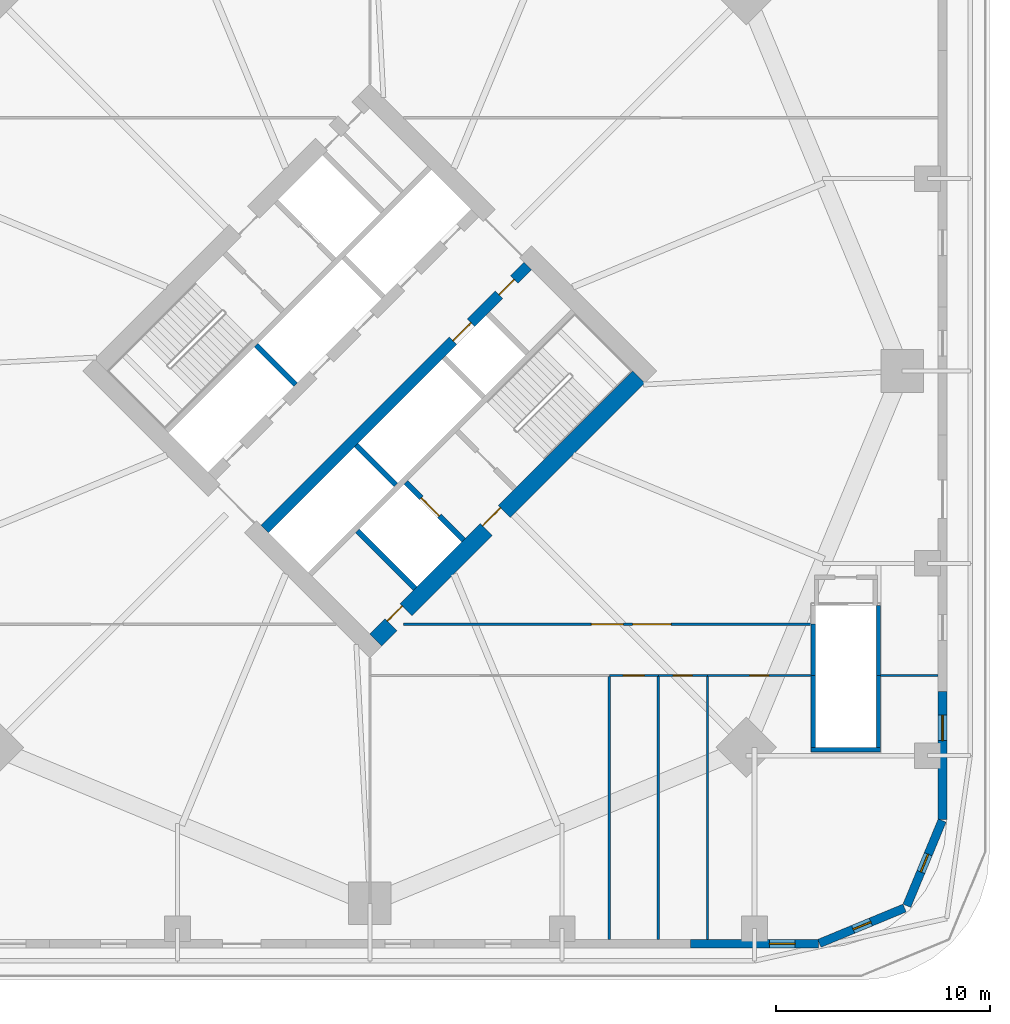
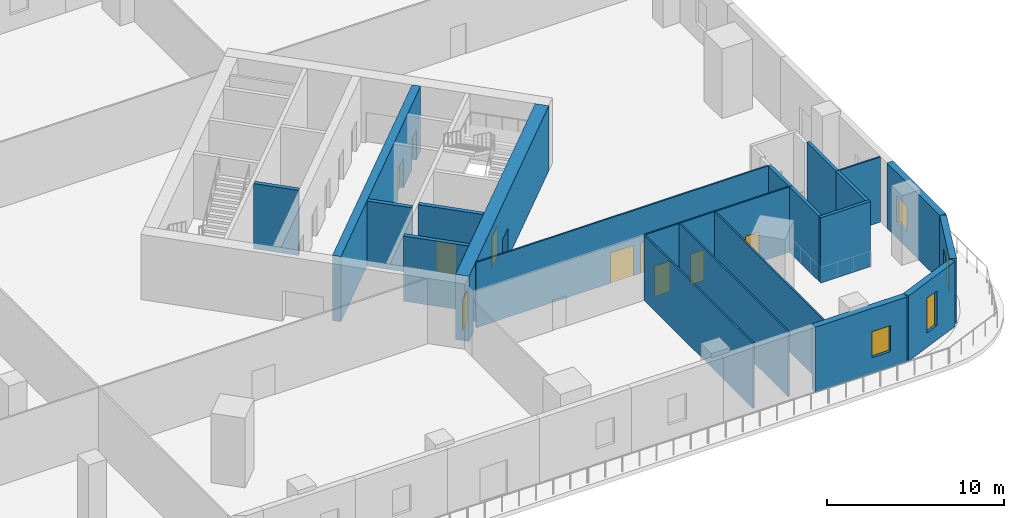
# One storey, part 8 of 16: 23 walls, 10 doors, 4 windows, 14 openings.
"""IFC4 building model written with IfcOpenShell, lengths in metres."""

from ifc_helpers import new_model, si_unit, direction, frame, frame_2d, origin, place, context, subcontext, project, spatial, rectangle, extrude, material, layer, layer_set, type_object, element, fill, save


model = new_model("IFC4")

# Units and contexts
model_context = context("Model", 3, precision=1e-05, world=origin(), true_north=direction((0.0, 1.0)))
body_context = subcontext(model_context, "Body", "Model", "MODEL_VIEW")
ifc_project = project(units=[si_unit("LENGTHUNIT", "METRE"), si_unit("AREAUNIT", "SQUARE_METRE"), si_unit("VOLUMEUNIT", "CUBIC_METRE"), si_unit("PLANEANGLEUNIT", "RADIAN"), si_unit("MASSUNIT", "GRAM", prefix="KILO")], contexts=[model_context])

# Site, building, storey
site_placement = place(None, origin())
site = spatial("IfcSite", under=ifc_project, at=site_placement, CompositionType="ELEMENT")
building_placement = place(site_placement, origin())
building = spatial("IfcBuilding", under=site, at=building_placement, Name="Ogive Gate Towers", CompositionType="ELEMENT")
storey_placement = place(building_placement, frame((0.0, 0.0, 22.800048828125)))
storey = spatial("IfcBuildingStorey", under=building, at=storey_placement, Name="L04", CompositionType="ELEMENT", Elevation=22.800048828125)

# Wall, openings, doors
ifc_material_1 = material(Name="Concrete C60/75", Category="concrete")
ifc_layer_1 = layer(ifc_material_1, 0.800048828125)
ifc_layer_set_1 = layer_set([ifc_layer_1], Name="Core wall 800 mm")
wall_type_1 = type_object("IfcWallType", Name="Core wall 800 mm", PredefinedType="SHEAR", material=ifc_layer_set_1)
wall_1_placement = place(storey_placement, frame((36.28271484375, -12.58642578125, 0.0), z_axis=(0.0, 0.0, 1.0), x_axis=(0.707106781187, 0.707106781187, 0.0)))
wall_1 = element("IfcWall", 1, at=wall_1_placement, inside=storey, type_object=wall_type_1, Name="T2 L04 Core wall 800 mm", PredefinedType="SHEAR", context=body_context, shape_type="SweptSolid", body=[
    extrude(rectangle(XDim=17.400146484375, YDim=0.800048828125, at=frame_2d((8.7001953125, 0.0))), origin(), (0.0, 0.0, 1.0), 4.5),
])
opening_1_placement = place(wall_1_placement, frame((7.300048828125, 0.0, 0.0)))
opening_1 = element("IfcOpeningElement", 2, at=opening_1_placement, cuts=wall_1, Name="Opening KD-T2-L04-16", PredefinedType="OPENING", context=body_context, shape_type="SweptSolid", body=[
    extrude(rectangle(XDim=1.199951171875, YDim=2.10009765625, at=frame_2d((0.60009765625, 1.050048828125))), frame((0.0, 0.41015625, 0.0), z_axis=(0.0, -1.0, 0.0), x_axis=(1.0, 0.0, 0.0)), (0.0, 0.0, 1.0), 0.820068359375),
])
opening_2_placement = place(wall_1_placement, frame((1.0, 0.0, 0.0)))
opening_2 = element("IfcOpeningElement", 3, at=opening_2_placement, cuts=wall_1, Name="Opening KD-T2-L04-19", PredefinedType="OPENING", context=body_context, shape_type="SweptSolid", body=[
    extrude(rectangle(XDim=1.0, YDim=2.10009765625, at=frame_2d((0.5, 1.050048828125))), frame((0.0, 0.41015625, 0.0), z_axis=(0.0, -1.0, 0.0), x_axis=(1.0, 0.0, 0.0)), (0.0, 0.0, 1.0), 0.820068359375),
])
ifc_material_2 = material(Name="Timber door", Category="wood")
door_type_1 = type_object("IfcDoorType", Name="Accessible WC door 1000 x 2100", OperationType="NOTDEFINED", PredefinedType="DOOR", material=ifc_material_2)
door_1_placement = place(opening_2_placement, origin())
door_1 = element("IfcDoor", 4, at=door_1_placement, inside=storey, type_object=door_type_1, Name="T2 L04 Core door", OperationType="SINGLE_SWING_RIGHT", OverallHeight=2.10009765625, OverallWidth=1.0, PredefinedType="DOOR", context=body_context, shape_type="SweptSolid", body=[
    extrude(rectangle(XDim=1.0, YDim=2.10009765625, at=frame_2d((0.5, 1.050048828125))), frame((0.0, 0.27490234375, 0.0), z_axis=(0.0, -1.0, 0.0), x_axis=(1.0, 0.0, 0.0)), (0.0, 0.0, 1.0), 0.050048828125),
])
fill(opening_2, door_1)
ifc_material_3 = material(Name="Steel fire door", Category="steel")
door_type_2 = type_object("IfcDoorType", Name="Core door FD60S 1200 x 2100", OperationType="NOTDEFINED", PredefinedType="DOOR", material=ifc_material_3)
door_2_placement = place(opening_1_placement, origin())
door_2 = element("IfcDoor", 5, at=door_2_placement, inside=storey, type_object=door_type_2, Name="T2 L04 Fire-fighting lobby door", OperationType="SINGLE_SWING_LEFT", OverallHeight=2.10009765625, OverallWidth=1.199951171875, PredefinedType="DOOR", context=body_context, shape_type="SweptSolid", body=[
    extrude(rectangle(XDim=1.199951171875, YDim=2.10009765625, at=frame_2d((0.60009765625, 1.050048828125))), frame((0.0, 0.27490234375, 0.0), z_axis=(0.0, -1.0, 0.0), x_axis=(1.0, 0.0, 0.0)), (0.0, 0.0, 1.0), 0.050048828125),
])
fill(opening_1, door_2)

# Wall, opening, door
ifc_material_4 = material(Name="Gypsum board partition")
ifc_layer_2 = layer(ifc_material_4, 0.10009765625)
ifc_layer_set_2 = layer_set([ifc_layer_2], Name="Partition wall 100")
wall_type_2 = type_object("IfcWallType", Name="Partition wall 100", PredefinedType="PARTITIONING", material=ifc_layer_set_2)
wall_2_placement = place(storey_placement, frame((47.205078125, -14.25, 0.0), z_axis=(0.0, 0.0, 1.0), x_axis=(1.0, 0.0, 0.0)))
wall_2 = element("IfcWall", 6, at=wall_2_placement, inside=storey, type_object=wall_type_2, Name="L04 partition 042", PredefinedType="PARTITIONING", context=body_context, shape_type="SweptSolid", body=[
    extrude(rectangle(XDim=2.294921875, YDim=0.10009765625, at=frame_2d((1.1474609375, 0.0))), origin(), (0.0, 0.0, 1.0), 4.5),
])
opening_3_placement = place(wall_2_placement, frame((0.6474609375, 0.0, 0.0)))
opening_3 = element("IfcOpeningElement", 7, at=opening_3_placement, cuts=wall_2, Name="Opening PO208", PredefinedType="OPENING", context=body_context, shape_type="SweptSolid", body=[
    extrude(rectangle(XDim=1.0, YDim=2.10009765625, at=frame_2d((0.5, 1.050048828125))), frame((0.0, 0.06005859375, 0.0), z_axis=(0.0, -1.0, 0.0), x_axis=(1.0, 0.0, 0.0)), (0.0, 0.0, 1.0), 0.1201171875),
])
door_type_3 = type_object("IfcDoorType", Name="Door 1000 x 2100", OperationType="NOTDEFINED", PredefinedType="DOOR", material=ifc_material_2)
door_3_placement = place(opening_3_placement, origin())
door_3 = element("IfcDoor", 8, at=door_3_placement, inside=storey, type_object=door_type_3, Name="Door PO208", OperationType="SINGLE_SWING_RIGHT", OverallHeight=2.10009765625, OverallWidth=1.0, PredefinedType="DOOR", context=body_context, shape_type="SweptSolid", body=[
    extrude(rectangle(XDim=1.0, YDim=2.10009765625, at=frame_2d((0.5, 1.050048828125))), frame((0.0, 0.02490234375, 0.0), z_axis=(0.0, -1.0, 0.0), x_axis=(1.0, 0.0, 0.0)), (0.0, 0.0, 1.0), 0.050048828125),
])
fill(opening_3, door_3)

wall_3_placement = place(storey_placement, frame((49.5, -14.25, 0.0), z_axis=(0.0, 0.0, 1.0), x_axis=(1.0, 0.0, 0.0)))
wall_3 = element("IfcWall", 9, at=wall_3_placement, inside=storey, type_object=wall_type_2, Name="L04 partition 043", PredefinedType="PARTITIONING", context=body_context, shape_type="SweptSolid", body=[
    extrude(rectangle(XDim=2.294921875, YDim=0.10009765625, at=frame_2d((1.1474609375, 0.0))), origin(), (0.0, 0.0, 1.0), 4.5),
])
opening_4_placement = place(wall_3_placement, frame((0.697509765625, 0.0, 0.0)))
opening_4 = element("IfcOpeningElement", 10, at=opening_4_placement, cuts=wall_3, Name="Opening PO209", PredefinedType="OPENING", context=body_context, shape_type="SweptSolid", body=[
    extrude(rectangle(XDim=0.89990234375, YDim=2.10009765625, at=frame_2d((0.449951171875, 1.050048828125))), frame((0.0, 0.06005859375, 0.0), z_axis=(0.0, -1.0, 0.0), x_axis=(1.0, 0.0, 0.0)), (0.0, 0.0, 1.0), 0.1201171875),
])
door_type_4 = type_object("IfcDoorType", Name="Door 900 x 2100", OperationType="NOTDEFINED", PredefinedType="DOOR", material=ifc_material_2)
door_4_placement = place(opening_4_placement, origin())
door_4 = element("IfcDoor", 11, at=door_4_placement, inside=storey, type_object=door_type_4, Name="Door PO209", OperationType="SINGLE_SWING_LEFT", OverallHeight=2.10009765625, OverallWidth=0.89990234375, PredefinedType="DOOR", context=body_context, shape_type="SweptSolid", body=[
    extrude(rectangle(XDim=0.89990234375, YDim=2.10009765625, at=frame_2d((0.449951171875, 1.050048828125))), frame((0.0, 0.02490234375, 0.0), z_axis=(0.0, -1.0, 0.0), x_axis=(1.0, 0.0, 0.0)), (0.0, 0.0, 1.0), 0.050048828125),
])
fill(opening_4, door_4)

wall_4_placement = place(storey_placement, frame((51.794921875, -14.25, 0.0), z_axis=(0.0, 0.0, 1.0), x_axis=(1.0, 0.0, 0.0)))
wall_4 = element("IfcWall", 12, at=wall_4_placement, inside=storey, type_object=wall_type_2, Name="L04 partition 044", PredefinedType="PARTITIONING", context=body_context, shape_type="SweptSolid", body=[
    extrude(rectangle(XDim=4.85498046875, YDim=0.10009765625, at=frame_2d((2.427490234375, 0.0))), origin(), (0.0, 0.0, 1.0), 4.5),
])
opening_5_placement = place(wall_4_placement, frame((1.9775390625, 0.0, 0.0)))
opening_5 = element("IfcOpeningElement", 13, at=opening_5_placement, cuts=wall_4, Name="Opening PO210", PredefinedType="OPENING", context=body_context, shape_type="SweptSolid", body=[
    extrude(rectangle(XDim=0.89990234375, YDim=2.10009765625, at=frame_2d((0.449951171875, 1.050048828125))), frame((0.0, 0.06005859375, 0.0), z_axis=(0.0, -1.0, 0.0), x_axis=(1.0, 0.0, 0.0)), (0.0, 0.0, 1.0), 0.1201171875),
])
door_5_placement = place(opening_5_placement, origin())
door_5 = element("IfcDoor", 14, at=door_5_placement, inside=storey, type_object=door_type_4, Name="Door PO210", OperationType="SINGLE_SWING_RIGHT", OverallHeight=2.10009765625, OverallWidth=0.89990234375, PredefinedType="DOOR", context=body_context, shape_type="SweptSolid", body=[
    extrude(rectangle(XDim=0.89990234375, YDim=2.10009765625, at=frame_2d((0.449951171875, 1.050048828125))), frame((0.0, 0.02490234375, 0.0), z_axis=(0.0, -1.0, 0.0), x_axis=(1.0, 0.0, 0.0)), (0.0, 0.0, 1.0), 0.050048828125),
])
fill(opening_5, door_5)

# Wall, openings, doors
wall_5_placement = place(storey_placement, frame((37.5849609375, -11.85009765625, 0.0), z_axis=(0.0, 0.0, 1.0), x_axis=(1.0, 0.0, 0.0)))
wall_5 = element("IfcWall", 15, at=wall_5_placement, inside=storey, type_object=wall_type_2, Name="L04 partition 045", PredefinedType="PARTITIONING", context=body_context, shape_type="SweptSolid", body=[
    extrude(rectangle(XDim=19.06494140625, YDim=0.10009765625, at=frame_2d((9.532470703125, 0.0))), origin(), (0.0, 0.0, 1.0), 4.5),
])
opening_6_placement = place(wall_5_placement, frame((8.782470703125, 0.0, 0.0)))
opening_6 = element("IfcOpeningElement", 16, at=opening_6_placement, cuts=wall_5, Name="Opening PO206", PredefinedType="OPENING", context=body_context, shape_type="SweptSolid", body=[
    extrude(rectangle(XDim=1.5, YDim=2.10009765625, at=frame_2d((0.75, 1.050048828125))), frame((0.0, 0.06005859375, 0.0), z_axis=(0.0, -1.0, 0.0), x_axis=(1.0, 0.0, 0.0)), (0.0, 0.0, 1.0), 0.1201171875),
])
opening_7_placement = place(wall_5_placement, frame((10.715576171875, 0.0, 0.0)))
opening_7 = element("IfcOpeningElement", 17, at=opening_7_placement, cuts=wall_5, Name="Opening PO214", PredefinedType="OPENING", context=body_context, shape_type="SweptSolid", body=[
    extrude(rectangle(XDim=1.800048828125, YDim=2.10009765625, at=frame_2d((0.89990234375, 1.050048828125))), frame((0.0, 0.06005859375, 0.0), z_axis=(0.0, -1.0, 0.0), x_axis=(1.0, 0.0, 0.0)), (0.0, 0.0, 1.0), 0.1201171875),
])
door_type_5 = type_object("IfcDoorType", Name="Double door 1500 x 2100", OperationType="NOTDEFINED", PredefinedType="DOOR", material=ifc_material_2)
door_6_placement = place(opening_6_placement, origin())
door_6 = element("IfcDoor", 18, at=door_6_placement, inside=storey, type_object=door_type_5, Name="Door PO206", OperationType="DOUBLE_DOOR_DOUBLE_SWING", OverallHeight=2.10009765625, OverallWidth=1.5, PredefinedType="DOOR", context=body_context, shape_type="SweptSolid", body=[
    extrude(rectangle(XDim=1.5, YDim=2.10009765625, at=frame_2d((0.75, 1.050048828125))), frame((0.0, 0.02490234375, 0.0), z_axis=(0.0, -1.0, 0.0), x_axis=(1.0, 0.0, 0.0)), (0.0, 0.0, 1.0), 0.050048828125),
])
fill(opening_6, door_6)
door_type_6 = type_object("IfcDoorType", Name="Double door 1800 x 2100", OperationType="NOTDEFINED", PredefinedType="DOOR", material=ifc_material_2)
door_7_placement = place(opening_7_placement, origin())
door_7 = element("IfcDoor", 19, at=door_7_placement, inside=storey, type_object=door_type_6, Name="Door PO214", OperationType="DOUBLE_DOOR_DOUBLE_SWING", OverallHeight=2.10009765625, OverallWidth=1.800048828125, PredefinedType="DOOR", context=body_context, shape_type="SweptSolid", body=[
    extrude(rectangle(XDim=1.800048828125, YDim=2.10009765625, at=frame_2d((0.89990234375, 1.050048828125))), frame((0.0, 0.02490234375, 0.0), z_axis=(0.0, -1.0, 0.0), x_axis=(1.0, 0.0, 0.0)), (0.0, 0.0, 1.0), 0.050048828125),
])
fill(opening_7, door_7)

# Walls
for number, where, z_axis, x_axis, name in (
    (20, (47.205078125, -26.60009765625, 0.0), (0.0, 0.0, 1.0), (0.0, 1.0, 0.0), "L04 partition 046"),
    (21, (49.5, -26.60009765625, 0.0), (0.0, 0.0, 1.0), (0.0, 1.0, 0.0), "L04 partition 047"),
    (22, (51.794921875, -26.60009765625, 0.0), (0.0, 0.0, 1.0), (0.0, 1.0, 0.0), "L04 partition 048"),
):
    element("IfcWall", number, at=place(storey_placement, frame(where, z_axis=z_axis, x_axis=x_axis)), inside=storey, type_object=wall_type_2, Name=name, PredefinedType="PARTITIONING", context=body_context, shape_type="SweptSolid", body=[
        extrude(rectangle(XDim=12.300048828125, YDim=0.10009765625, at=frame_2d((6.14990234375, 0.0))), origin(), (0.0, 0.0, 1.0), 4.5),
    ])
wall_6_placement = place(storey_placement, frame((59.89990234375, -14.25, 0.0), z_axis=(0.0, 0.0, 1.0), x_axis=(1.0, 0.0, 0.0)))
element("IfcWall", 23, at=wall_6_placement, inside=storey, type_object=wall_type_2, Name="L04 partition 049", PredefinedType="PARTITIONING", context=body_context, shape_type="SweptSolid", body=[
    extrude(rectangle(XDim=2.7001953125, YDim=0.10009765625, at=frame_2d((1.35009765625, 0.0))), origin(), (0.0, 0.0, 1.0), 4.5),
])

# Wall, opening, window
ifc_material_5 = material(Name="Precast concrete C40/50", Category="concrete")
ifc_layer_3 = layer(ifc_material_5, 0.39990234375)
ifc_layer_set_3 = layer_set([ifc_layer_3], Name="Podium wall 400")
wall_type_3 = type_object("IfcWallType", Name="Podium wall 400", PredefinedType="SOLIDWALL", material=ifc_layer_set_3)
wall_7_placement = place(storey_placement, frame((57.036865234375, -26.784912109375, 0.0), z_axis=(0.0, 0.0, 1.0), x_axis=(0.923854820772, 0.382743086333, 0.0)))
wall_7 = element("IfcWall", 24, at=wall_7_placement, inside=storey, type_object=wall_type_3, Name="Podium wall", PredefinedType="SOLIDWALL", context=body_context, shape_type="SweptSolid", body=[
    extrude(rectangle(XDim=4.31640625, YDim=0.39990234375, at=frame_2d((2.158203125, 0.0))), origin(), (0.0, 0.0, 1.0), 4.5),
])
opening_8_placement = place(wall_7_placement, frame((1.708251953125, 0.0, 1.0)))
opening_8 = element("IfcOpeningElement", 25, at=opening_8_placement, cuts=wall_7, Name="Opening WN5", PredefinedType="OPENING", context=body_context, shape_type="SweptSolid", body=[
    extrude(rectangle(XDim=0.89990234375, YDim=2.39990234375, at=frame_2d((0.449951171875, 1.199951171875))), frame((0.0, 0.2099609375, 0.0), z_axis=(0.0, -1.0, 0.0), x_axis=(1.0, 0.0, 0.0)), (0.0, 0.0, 1.0), 0.419921875),
])
ifc_material_6 = material(Name="Clear glass", Category="glass")
window_type_1 = type_object("IfcWindowType", Name="Narrow window 900 x 2400", PartitioningType="SINGLE_PANEL", PredefinedType="WINDOW", material=ifc_material_6)
window_1_placement = place(opening_8_placement, origin())
window_1 = element("IfcWindow", 26, at=window_1_placement, inside=storey, type_object=window_type_1, Name="Podium window", OverallHeight=2.39990234375, OverallWidth=0.89990234375, PartitioningType="SINGLE_PANEL", PredefinedType="WINDOW", context=body_context, shape_type="SweptSolid", body=[
    extrude(rectangle(XDim=0.89990234375, YDim=2.39990234375, at=frame_2d((0.449951171875, 1.199951171875))), frame((0.0, 0.030029296875, 0.0), z_axis=(0.0, -1.0, 0.0), x_axis=(1.0, 0.0, 0.0)), (0.0, 0.0, 1.0), 0.06005859375),
])
fill(opening_8, window_1)

wall_8_placement = place(storey_placement, frame((61.1328125, -25.024658203125, 0.0), z_axis=(0.0, 0.0, 1.0), x_axis=(0.382743086333, 0.923854820772, 0.0)))
wall_8 = element("IfcWall", 27, at=wall_8_placement, inside=storey, type_object=wall_type_3, Name="Podium wall", PredefinedType="SOLIDWALL", context=body_context, shape_type="SweptSolid", body=[
    extrude(rectangle(XDim=4.31640625, YDim=0.39990234375, at=frame_2d((2.158203125, 0.0))), origin(), (0.0, 0.0, 1.0), 4.5),
])
opening_9_placement = place(wall_8_placement, frame((1.708251953125, 0.0, 1.0)))
opening_9 = element("IfcOpeningElement", 28, at=opening_9_placement, cuts=wall_8, Name="Opening WN5", PredefinedType="OPENING", context=body_context, shape_type="SweptSolid", body=[
    extrude(rectangle(XDim=0.89990234375, YDim=2.39990234375, at=frame_2d((0.449951171875, 1.199951171875))), frame((0.0, 0.2099609375, 0.0), z_axis=(0.0, -1.0, 0.0), x_axis=(1.0, 0.0, 0.0)), (0.0, 0.0, 1.0), 0.419921875),
])
window_2_placement = place(opening_9_placement, origin())
window_2 = element("IfcWindow", 29, at=window_2_placement, inside=storey, type_object=window_type_1, Name="Podium window", OverallHeight=2.39990234375, OverallWidth=0.89990234375, PartitioningType="SINGLE_PANEL", PredefinedType="WINDOW", context=body_context, shape_type="SweptSolid", body=[
    extrude(rectangle(XDim=0.89990234375, YDim=2.39990234375, at=frame_2d((0.449951171875, 1.199951171875))), frame((0.0, 0.030029296875, 0.0), z_axis=(0.0, -1.0, 0.0), x_axis=(1.0, 0.0, 0.0)), (0.0, 0.0, 1.0), 0.06005859375),
])
fill(opening_9, window_2)

wall_9_placement = place(storey_placement, frame((62.800048828125, -21.0, 0.0), z_axis=(0.0, 0.0, 1.0), x_axis=(0.0, 1.0, 0.0)))
wall_9 = element("IfcWall", 30, at=wall_9_placement, inside=storey, type_object=wall_type_3, Name="Podium wall", PredefinedType="SOLIDWALL", context=body_context, shape_type="SweptSolid", body=[
    extrude(rectangle(XDim=6.0, YDim=0.39990234375, at=frame_2d((3.0, 0.0))), origin(), (0.0, 0.0, 1.0), 4.5),
])
opening_10_placement = place(wall_9_placement, frame((3.699951171875, 0.0, 1.10009765625)))
opening_10 = element("IfcOpeningElement", 31, at=opening_10_placement, cuts=wall_9, Name="Opening WN3", PredefinedType="OPENING", context=body_context, shape_type="SweptSolid", body=[
    extrude(rectangle(XDim=1.199951171875, YDim=1.800048828125, at=frame_2d((0.60009765625, 0.89990234375))), frame((0.0, 0.2099609375, 0.0), z_axis=(0.0, -1.0, 0.0), x_axis=(1.0, 0.0, 0.0)), (0.0, 0.0, 1.0), 0.419921875),
])
window_type_2 = type_object("IfcWindowType", Name="Podium window 1200 x 1800", PartitioningType="SINGLE_PANEL", PredefinedType="WINDOW", material=ifc_material_6)
window_3_placement = place(opening_10_placement, origin())
window_3 = element("IfcWindow", 32, at=window_3_placement, inside=storey, type_object=window_type_2, Name="Podium window", OverallHeight=1.800048828125, OverallWidth=1.199951171875, PartitioningType="SINGLE_PANEL", PredefinedType="WINDOW", context=body_context, shape_type="SweptSolid", body=[
    extrude(rectangle(XDim=1.199951171875, YDim=1.800048828125, at=frame_2d((0.60009765625, 0.89990234375))), frame((0.0, 0.030029296875, 0.0), z_axis=(0.0, -1.0, 0.0), x_axis=(1.0, 0.0, 0.0)), (0.0, 0.0, 1.0), 0.06005859375),
])
fill(opening_10, window_3)

wall_10_placement = place(storey_placement, frame((51.0, -26.800048828125, 0.0), z_axis=(0.0, 0.0, 1.0), x_axis=(1.0, 0.0, 0.0)))
wall_10 = element("IfcWall", 33, at=wall_10_placement, inside=storey, type_object=wall_type_3, Name="Podium wall", PredefinedType="SOLIDWALL", context=body_context, shape_type="SweptSolid", body=[
    extrude(rectangle(XDim=6.0, YDim=0.39990234375, at=frame_2d((3.0, 0.0))), origin(), (0.0, 0.0, 1.0), 4.5),
])
opening_11_placement = place(wall_10_placement, frame((3.699951171875, 0.0, 1.10009765625)))
opening_11 = element("IfcOpeningElement", 34, at=opening_11_placement, cuts=wall_10, Name="Opening WN3", PredefinedType="OPENING", context=body_context, shape_type="SweptSolid", body=[
    extrude(rectangle(XDim=1.199951171875, YDim=1.800048828125, at=frame_2d((0.60009765625, 0.89990234375))), frame((0.0, 0.2099609375, 0.0), z_axis=(0.0, -1.0, 0.0), x_axis=(1.0, 0.0, 0.0)), (0.0, 0.0, 1.0), 0.419921875),
])
window_4_placement = place(opening_11_placement, origin())
window_4 = element("IfcWindow", 35, at=window_4_placement, inside=storey, type_object=window_type_2, Name="Podium window", OverallHeight=1.800048828125, OverallWidth=1.199951171875, PartitioningType="SINGLE_PANEL", PredefinedType="WINDOW", context=body_context, shape_type="SweptSolid", body=[
    extrude(rectangle(XDim=1.199951171875, YDim=1.800048828125, at=frame_2d((0.60009765625, 0.89990234375))), frame((0.0, 0.030029296875, 0.0), z_axis=(0.0, -1.0, 0.0), x_axis=(1.0, 0.0, 0.0)), (0.0, 0.0, 1.0), 0.06005859375),
])
fill(opening_11, window_4)

# Walls
ifc_layer_4 = layer(ifc_material_1, 0.25)
ifc_layer_set_4 = layer_set([ifc_layer_4], Name="Shaft wall 250 mm")
wall_type_4 = type_object("IfcWallType", Name="Shaft wall 250 mm", PredefinedType="SHEAR", material=ifc_layer_set_4)
wall_11_placement = place(storey_placement, frame((38.121337890625, -10.182373046875, 0.0), z_axis=(0.0, 0.0, 1.0), x_axis=(-0.707138693938, 0.707074866995, 0.0)))
element("IfcWall", 36, at=wall_11_placement, inside=storey, type_object=wall_type_4, Name="T2 L04 Shaft wall 250 mm", PredefinedType="SHEAR", context=body_context, shape_type="SweptSolid", body=[
    extrude(rectangle(XDim=3.824951171875, YDim=0.25, at=frame_2d((1.91259765625, 0.0))), origin(), (0.0, 0.0, 1.0), 4.5),
])
for number, where, z_axis, x_axis, name in (
    (37, (37.2197265625, -5.321044921875, 0.0), (0.0, 0.0, 1.0), (-0.707106781187, 0.707106781187, 0.0), "T2 L04 Shaft wall 250 mm"),
    (38, (32.53515625, -0.636474609375, 0.0), (0.0, 0.0, 1.0), (-0.707106781187, 0.707106781187, 0.0), "T2 L04 Shaft wall 250 mm"),
):
    element("IfcWall", number, at=place(storey_placement, frame(where, z_axis=z_axis, x_axis=x_axis)), inside=storey, type_object=wall_type_4, Name=name, PredefinedType="SHEAR", context=body_context, shape_type="SweptSolid", body=[
        extrude(rectangle(XDim=2.625, YDim=0.25, at=frame_2d((1.3125, 0.0))), origin(), (0.0, 0.0, 1.0), 4.5),
    ])

# Wall, opening, door
wall_12_placement = place(storey_placement, frame((40.384033203125, -7.919677734375, 0.0), z_axis=(0.0, 0.0, 1.0), x_axis=(-0.707074866995, 0.707138693938, 0.0)))
wall_12 = element("IfcWall", 39, at=wall_12_placement, inside=storey, type_object=wall_type_4, Name="T2 L04 Shaft wall 250 mm", PredefinedType="SHEAR", context=body_context, shape_type="SweptSolid", body=[
    extrude(rectangle(XDim=3.824951171875, YDim=0.25, at=frame_2d((1.91259765625, 0.0))), origin(), (0.0, 0.0, 1.0), 4.5),
])
opening_12_placement = place(wall_12_placement, frame((1.60009765625, 0.0, 0.0)))
opening_12 = element("IfcOpeningElement", 40, at=opening_12_placement, cuts=wall_12, Name="Opening LD-T2-L04-11", PredefinedType="OPENING", context=body_context, shape_type="SweptSolid", body=[
    extrude(rectangle(XDim=1.199951171875, YDim=2.10009765625, at=frame_2d((0.60009765625, 1.050048828125))), frame((0.0, 0.135009765625, 0.0), z_axis=(0.0, -1.0, 0.0), x_axis=(1.0, 0.0, 0.0)), (0.0, 0.0, 1.0), 0.27001953125),
])
ifc_material_7 = material(Name="Stainless steel landing door", Category="steel")
door_type_7 = type_object("IfcDoorType", Name="Landing door 1200 x 2100", OperationType="SLIDING_TO_LEFT", PredefinedType="DOOR", material=ifc_material_7)
door_8_placement = place(opening_12_placement, origin())
door_8 = element("IfcDoor", 41, at=door_8_placement, inside=storey, type_object=door_type_7, Name="T2 L04 Lift landing door FF2", OperationType="SLIDING_TO_LEFT", OverallHeight=2.10009765625, OverallWidth=1.199951171875, PredefinedType="DOOR", context=body_context, shape_type="SweptSolid", body=[
    extrude(rectangle(XDim=1.199951171875, YDim=2.10009765625, at=frame_2d((0.60009765625, 1.050048828125))), frame((0.0, 0.02490234375, 0.0), z_axis=(0.0, -1.0, 0.0), x_axis=(1.0, 0.0, 0.0)), (0.0, 0.0, 1.0), 0.050048828125),
])
fill(opening_12, door_8)

# Wall, openings, doors
ifc_layer_5 = layer(ifc_material_1, 0.5)
ifc_layer_set_5 = layer_set([ifc_layer_5], Name="Spine wall 500 mm")
wall_type_5 = type_object("IfcWallType", Name="Spine wall 500 mm", PredefinedType="SHEAR", material=ifc_layer_set_5)
wall_13_placement = place(storey_placement, frame((31.085693359375, -7.389404296875, 0.0), z_axis=(0.0, 0.0, 1.0), x_axis=(0.707106781187, 0.707106781187, 0.0)))
wall_13 = element("IfcWall", 42, at=wall_13_placement, inside=storey, type_object=wall_type_5, Name="T2 L04 Spine wall 500 mm", PredefinedType="SHEAR", context=body_context, shape_type="SweptSolid", body=[
    extrude(rectangle(XDim=17.400146484375, YDim=0.5, at=frame_2d((8.7001953125, 0.0))), origin(), (0.0, 0.0, 1.0), 4.5),
])
opening_13_placement = place(wall_13_placement, frame((12.449951171875, 0.0, 0.0)))
opening_13 = element("IfcOpeningElement", 43, at=opening_13_placement, cuts=wall_13, Name="Opening LD-T2-L04-09", PredefinedType="OPENING", context=body_context, shape_type="SweptSolid", body=[
    extrude(rectangle(XDim=1.199951171875, YDim=2.10009765625, at=frame_2d((0.60009765625, 1.050048828125))), frame((0.0, 0.260009765625, 0.0), z_axis=(0.0, -1.0, 0.0), x_axis=(1.0, 0.0, 0.0)), (0.0, 0.0, 1.0), 0.52001953125),
])
opening_14_placement = place(wall_13_placement, frame((15.5, 0.0, 0.0)))
opening_14 = element("IfcOpeningElement", 44, at=opening_14_placement, cuts=wall_13, Name="Opening KD-T2-L04-12", PredefinedType="OPENING", context=body_context, shape_type="SweptSolid", body=[
    extrude(rectangle(XDim=1.0, YDim=2.10009765625, at=frame_2d((0.5, 1.050048828125))), frame((0.0, 0.260009765625, 0.0), z_axis=(0.0, -1.0, 0.0), x_axis=(1.0, 0.0, 0.0)), (0.0, 0.0, 1.0), 0.52001953125),
])
door_type_8 = type_object("IfcDoorType", Name="Core door FD60S 1000 x 2100", OperationType="NOTDEFINED", PredefinedType="DOOR", material=ifc_material_3)
door_9_placement = place(opening_14_placement, origin())
door_9 = element("IfcDoor", 45, at=door_9_placement, inside=storey, type_object=door_type_8, Name="T2 L04 Core door", OperationType="SINGLE_SWING_LEFT", OverallHeight=2.10009765625, OverallWidth=1.0, PredefinedType="DOOR", context=body_context, shape_type="SweptSolid", body=[
    extrude(rectangle(XDim=1.0, YDim=2.10009765625, at=frame_2d((0.5, 1.050048828125))), frame((0.0, 0.02490234375, 0.0), z_axis=(0.0, -1.0, 0.0), x_axis=(1.0, 0.0, 0.0)), (0.0, 0.0, 1.0), 0.050048828125),
])
fill(opening_14, door_9)
door_10_placement = place(opening_13_placement, origin())
door_10 = element("IfcDoor", 46, at=door_10_placement, inside=storey, type_object=door_type_7, Name="T2 L04 Lift landing door SVC", OperationType="SLIDING_TO_LEFT", OverallHeight=2.10009765625, OverallWidth=1.199951171875, PredefinedType="DOOR", context=body_context, shape_type="SweptSolid", body=[
    extrude(rectangle(XDim=1.199951171875, YDim=2.10009765625, at=frame_2d((0.60009765625, 1.050048828125))), frame((0.0, 0.02490234375, 0.0), z_axis=(0.0, -1.0, 0.0), x_axis=(1.0, 0.0, 0.0)), (0.0, 0.0, 1.0), 0.050048828125),
])
fill(opening_13, door_10)

# Walls
ifc_material_8 = material(Name="Reinforced concrete C32/40", Category="concrete")
ifc_layer_6 = layer(ifc_material_8, 0.199951171875)
ifc_layer_set_6 = layer_set([ifc_layer_6], Name="Stair shaft wall 200")
wall_type_6 = type_object("IfcWallType", Name="Stair shaft wall 200", PredefinedType="SOLIDWALL", material=ifc_layer_set_6)
wall_14_placement = place(storey_placement, frame((56.75, -14.25, 0.0), z_axis=(0.0, 0.0, 1.0), x_axis=(0.0, 1.0, 0.0)))
element("IfcWall", 47, at=wall_14_placement, inside=storey, type_object=wall_type_6, Name="L04 stair shaft wall 009", PredefinedType="SOLIDWALL", context=body_context, shape_type="SweptSolid", body=[
    extrude(rectangle(XDim=2.39990234375, YDim=0.199951171875, at=frame_2d((1.199951171875, 0.0))), origin(), (0.0, 0.0, 1.0), 4.5),
])
wall_15_placement = place(storey_placement, frame((56.64990234375, -17.719970703125, 0.0), z_axis=(0.0, 0.0, 1.0), x_axis=(1.0, 0.0, 0.0)))
element("IfcWall", 48, at=wall_15_placement, inside=storey, type_object=wall_type_6, Name="L04 stair shaft wall 010", PredefinedType="SOLIDWALL", context=body_context, shape_type="SweptSolid", body=[
    extrude(rectangle(XDim=3.25, YDim=0.199951171875, at=frame_2d((1.625, 0.0))), origin(), (0.0, 0.0, 1.0), 4.5),
])
for number, where, z_axis, x_axis, name in (
    (49, (56.75, -17.6201171875, 0.0), (0.0, 0.0, 1.0), (0.0, 1.0, 0.0), "L04 stair shaft wall 011"),
    (50, (59.800048828125, -17.6201171875, 0.0), (0.0, 0.0, 1.0), (0.0, 1.0, 0.0), "L04 stair shaft wall 012"),
):
    element("IfcWall", number, at=place(storey_placement, frame(where, z_axis=z_axis, x_axis=x_axis)), inside=storey, type_object=wall_type_6, Name=name, PredefinedType="SOLIDWALL", context=body_context, shape_type="SweptSolid", body=[
        extrude(rectangle(XDim=3.3701171875, YDim=0.199951171875, at=frame_2d((1.68505859375, 0.0))), origin(), (0.0, 0.0, 1.0), 4.5),
    ])
wall_16_placement = place(storey_placement, frame((59.800048828125, -14.25, 0.0), z_axis=(0.0, 0.0, 1.0), x_axis=(0.0, 1.0, 0.0)))
element("IfcWall", 51, at=wall_16_placement, inside=storey, type_object=wall_type_6, Name="L04 stair shaft wall 017", PredefinedType="SOLIDWALL", context=body_context, shape_type="SweptSolid", body=[
    extrude(rectangle(XDim=3.284912109375, YDim=0.199951171875, at=frame_2d((1.642578125, 0.0))), origin(), (0.0, 0.0, 1.0), 4.5),
])

save(model, "model.ifc")
